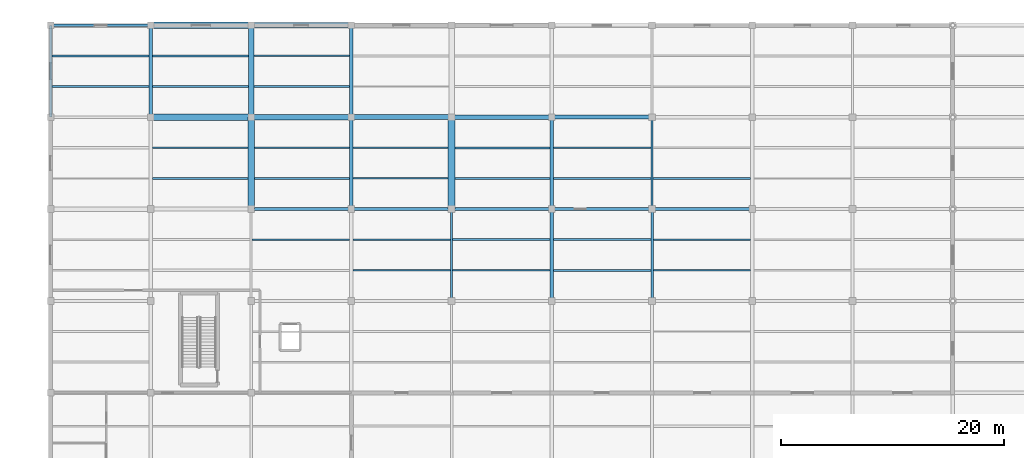
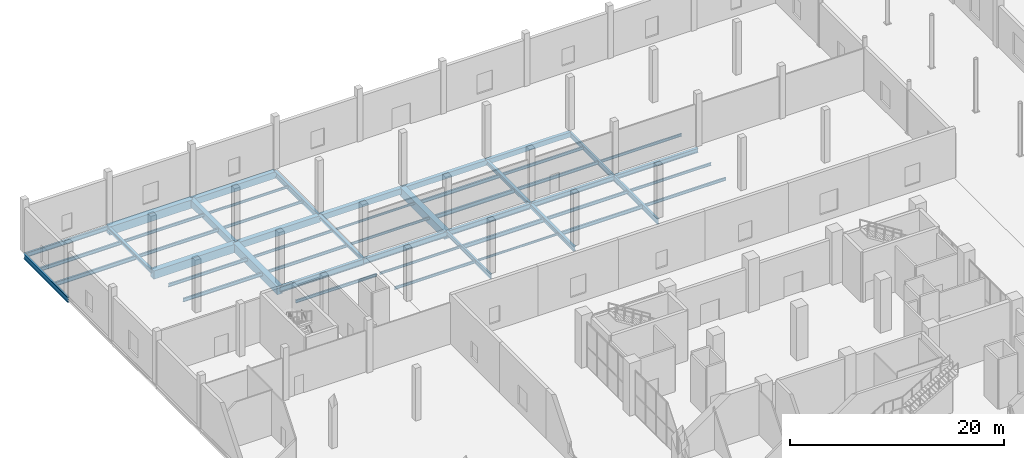
# One storey, part 60 of 144: 51 beams.
"""IFC4 building model written with IfcOpenShell, lengths in metres."""

from ifc_helpers import new_model, si_unit, direction, frame, origin, origin_2d, place, context, subcontext, project, spatial, rectangle, i_section, extrude, material, material_profile, profile_set, type_object, element, save


model = new_model("IFC4")

# Units and contexts
model_context = context("Model", 3, precision=1e-05, world=origin(), true_north=direction((0.0, 1.0)))
body_context = subcontext(model_context, "Body", "Model", "MODEL_VIEW")
ifc_project = project(units=[si_unit("LENGTHUNIT", "METRE"), si_unit("AREAUNIT", "SQUARE_METRE"), si_unit("VOLUMEUNIT", "CUBIC_METRE"), si_unit("PLANEANGLEUNIT", "RADIAN"), si_unit("MASSUNIT", "GRAM", prefix="KILO")], contexts=[model_context])

# Site, building, storey
site_placement = place(None, origin())
site = spatial("IfcSite", under=ifc_project, at=site_placement, CompositionType="ELEMENT")
building_placement = place(site_placement, origin())
building = spatial("IfcBuilding", under=site, at=building_placement, Name="Sundgate Opera House", CompositionType="ELEMENT")
storey_placement = place(building_placement, origin())
storey = spatial("IfcBuildingStorey", under=building, at=storey_placement, Name="L00", CompositionType="ELEMENT", Elevation=0.0)

# Beams
ifc_material_1 = material(Name="Steel S355J2", Category="steel")
ifc_material_profile_1 = material_profile(ifc_material_1, i_section(OverallWidth=0.300048828125, OverallDepth=0.590087890625, WebThickness=0.012939453125, FlangeThickness=0.02490234375, at=origin_2d()), Name="HEA 600")
ifc_profile_set_1 = profile_set([ifc_material_profile_1], Name="Steel S355J2")
beam_type_1 = type_object("IfcBeamType", Name="BM-GR-HEA600", PredefinedType="BEAM", material=ifc_profile_set_1)
beam_1_placement = place(storey_placement, frame((27.0, 111.75, -0.614990234375), z_axis=(0.0, 1.0, 0.0), x_axis=(-1.0, 0.0, 0.0)))
element("IfcBeam", 1, at=beam_1_placement, inside=storey, type_object=beam_type_1, Name="L00 Primary N-S Girder B0111", PredefinedType="BEAM", context=body_context, shape_type="SweptSolid", body=[
    extrude(i_section(OverallWidth=0.300048828125, OverallDepth=0.590087890625, WebThickness=0.012939453125, FlangeThickness=0.02490234375, at=origin_2d()), origin(), (0.0, 0.0, 1.0), 8.25),
])
ifc_material_2 = material(Name="Steel S355J2", Category="steel")
ifc_material_profile_2 = material_profile(ifc_material_2, i_section(OverallWidth=0.300048828125, OverallDepth=0.360107421875, WebThickness=0.012451171875, FlangeThickness=0.0224609375, at=origin_2d()), Name="HEB 360")
ifc_profile_set_2 = profile_set([ifc_material_profile_2], Name="Steel S355J2")
beam_type_2 = type_object("IfcBeamType", Name="BM-GR-HEB360", PredefinedType="BEAM", material=ifc_profile_set_2)
beam_2_placement = place(storey_placement, frame((27.0, 103.5, -0.5), z_axis=(0.0, 1.0, 0.0), x_axis=(-1.0, 0.0, 0.0)))
element("IfcBeam", 2, at=beam_2_placement, inside=storey, type_object=beam_type_2, Name="L00 Primary N-S Girder B0110", PredefinedType="BEAM", context=body_context, shape_type="SweptSolid", body=[
    extrude(i_section(OverallWidth=0.300048828125, OverallDepth=0.360107421875, WebThickness=0.012451171875, FlangeThickness=0.0224609375, at=origin_2d()), origin(), (0.0, 0.0, 1.0), 8.25),
])
ifc_material_3 = material(Name="Steel S355J2", Category="steel")
ifc_material_profile_3 = material_profile(ifc_material_3, i_section(OverallWidth=0.300048828125, OverallDepth=0.39990234375, WebThickness=0.013427734375, FlangeThickness=0.02392578125, at=origin_2d()), Name="HEB 400")
ifc_profile_set_3 = profile_set([ifc_material_profile_3], Name="Steel S355J2")
beam_type_3 = type_object("IfcBeamType", Name="BM-GR-HEB400", PredefinedType="BEAM", material=ifc_profile_set_3)
beam_3_placement = place(storey_placement, frame((9.0, 111.75, -0.52001953125), z_axis=(0.0, 1.0, 0.0), x_axis=(-1.0, 0.0, 0.0)))
element("IfcBeam", 3, at=beam_3_placement, inside=storey, type_object=beam_type_3, Name="L00 Primary N-S Girder B0087", PredefinedType="BEAM", context=body_context, shape_type="SweptSolid", body=[
    extrude(i_section(OverallWidth=0.300048828125, OverallDepth=0.39990234375, WebThickness=0.013427734375, FlangeThickness=0.02392578125, at=origin_2d()), origin(), (0.0, 0.0, 1.0), 8.25),
])
ifc_material_4 = material(Name="Steel S355J2", Category="steel")
ifc_material_profile_4 = material_profile(ifc_material_4, i_section(OverallWidth=0.300048828125, OverallDepth=0.449951171875, WebThickness=0.013916015625, FlangeThickness=0.02587890625, at=origin_2d()), Name="HEB 450")
ifc_profile_set_4 = profile_set([ifc_material_profile_4], Name="Steel S355J2")
beam_type_4 = type_object("IfcBeamType", Name="BM-GR-HEB450", PredefinedType="BEAM", material=ifc_profile_set_4)
beam_4_placement = place(storey_placement, frame((45.0, 103.5, -0.544921875), z_axis=(0.0, 1.0, 0.0), x_axis=(-1.0, 0.0, 0.0)))
element("IfcBeam", 4, at=beam_4_placement, inside=storey, type_object=beam_type_4, Name="L00 Primary N-S Girder B0130", PredefinedType="BEAM", context=body_context, shape_type="SweptSolid", body=[
    extrude(i_section(OverallWidth=0.300048828125, OverallDepth=0.449951171875, WebThickness=0.013916015625, FlangeThickness=0.02587890625, at=origin_2d()), origin(), (0.0, 0.0, 1.0), 8.25),
])
ifc_material_5 = material(Name="Steel S355J2", Category="steel")
ifc_material_profile_5 = material_profile(ifc_material_5, i_section(OverallWidth=0.300048828125, OverallDepth=0.5, WebThickness=0.014404296875, FlangeThickness=0.028076171875, at=origin_2d()), Name="HEB 500")
ifc_profile_set_5 = profile_set([ifc_material_profile_5], Name="Steel S355J2")
beam_type_5 = type_object("IfcBeamType", Name="BM-GR-HEB500", PredefinedType="BEAM", material=ifc_profile_set_5)
beam_5_placement = place(storey_placement, frame((45.0, 95.25, -0.570068359375), z_axis=(0.0, 1.0, 0.0), x_axis=(-1.0, 0.0, 0.0)))
element("IfcBeam", 5, at=beam_5_placement, inside=storey, type_object=beam_type_5, Name="L00 Primary N-S Girder B0129", PredefinedType="BEAM", context=body_context, shape_type="SweptSolid", body=[
    extrude(i_section(OverallWidth=0.300048828125, OverallDepth=0.5, WebThickness=0.014404296875, FlangeThickness=0.028076171875, at=origin_2d()), origin(), (0.0, 0.0, 1.0), 8.25),
])
beam_6_placement = place(storey_placement, frame((54.0, 103.5, -0.570068359375), z_axis=(1.0, 0.0, 0.0), x_axis=(0.0, 1.0, 0.0)))
element("IfcBeam", 6, at=beam_6_placement, inside=storey, type_object=beam_type_5, Name="L00 Primary E-W Girder B0546", PredefinedType="BEAM", context=body_context, shape_type="SweptSolid", body=[
    extrude(i_section(OverallWidth=0.300048828125, OverallDepth=0.5, WebThickness=0.014404296875, FlangeThickness=0.028076171875, at=origin_2d()), origin(), (0.0, 0.0, 1.0), 9.0),
])
ifc_material_6 = material(Name="Steel S355J2", Category="steel")
ifc_material_profile_6 = material_profile(ifc_material_6, i_section(OverallWidth=0.300048828125, OverallDepth=0.550048828125, WebThickness=0.014892578125, FlangeThickness=0.029052734375, at=origin_2d()), Name="HEB 550")
ifc_profile_set_6 = profile_set([ifc_material_profile_6], Name="Steel S355J2")
beam_type_6 = type_object("IfcBeamType", Name="BM-GR-HEB550", PredefinedType="BEAM", material=ifc_profile_set_6)
beam_7_placement = place(storey_placement, frame((45.0, 103.5, -0.594970703125), z_axis=(1.0, 0.0, 0.0), x_axis=(0.0, 1.0, 0.0)))
element("IfcBeam", 7, at=beam_7_placement, inside=storey, type_object=beam_type_6, Name="L00 Primary E-W Girder B0545", PredefinedType="BEAM", context=body_context, shape_type="SweptSolid", body=[
    extrude(i_section(OverallWidth=0.300048828125, OverallDepth=0.550048828125, WebThickness=0.014892578125, FlangeThickness=0.029052734375, at=origin_2d()), origin(), (0.0, 0.0, 1.0), 9.0),
])
ifc_material_7 = material(Name="Steel S355J2", Category="steel")
ifc_material_profile_7 = material_profile(ifc_material_7, i_section(OverallWidth=0.300048828125, OverallDepth=0.60009765625, WebThickness=0.015380859375, FlangeThickness=0.030029296875, at=origin_2d()), Name="HEB 600")
ifc_profile_set_7 = profile_set([ifc_material_profile_7], Name="Steel S355J2")
beam_type_7 = type_object("IfcBeamType", Name="BM-GR-HEB600", PredefinedType="BEAM", material=ifc_profile_set_7)
beam_8_placement = place(storey_placement, frame((36.0, 103.5, -0.6201171875), z_axis=(1.0, 0.0, 0.0), x_axis=(0.0, 1.0, 0.0)))
element("IfcBeam", 8, at=beam_8_placement, inside=storey, type_object=beam_type_7, Name="L00 Primary E-W Girder B0544", PredefinedType="BEAM", context=body_context, shape_type="SweptSolid", body=[
    extrude(i_section(OverallWidth=0.300048828125, OverallDepth=0.60009765625, WebThickness=0.015380859375, FlangeThickness=0.030029296875, at=origin_2d()), origin(), (0.0, 0.0, 1.0), 9.0),
])
ifc_material_8 = material(Name="Steel S355J2", Category="steel")
ifc_material_profile_8 = material_profile(ifc_material_8, i_section(OverallWidth=0.300048828125, OverallDepth=0.64990234375, WebThickness=0.01611328125, FlangeThickness=0.031005859375, at=origin_2d()), Name="HEB 650")
ifc_profile_set_8 = profile_set([ifc_material_profile_8], Name="Steel S355J2")
beam_type_8 = type_object("IfcBeamType", Name="BM-GR-HEB650", PredefinedType="BEAM", material=ifc_profile_set_8)
beam_9_placement = place(storey_placement, frame((27.0, 103.5, -0.64501953125), z_axis=(1.0, 0.0, 0.0), x_axis=(0.0, 1.0, 0.0)))
element("IfcBeam", 9, at=beam_9_placement, inside=storey, type_object=beam_type_8, Name="L00 Primary E-W Girder B0543", PredefinedType="BEAM", context=body_context, shape_type="SweptSolid", body=[
    extrude(i_section(OverallWidth=0.300048828125, OverallDepth=0.64990234375, WebThickness=0.01611328125, FlangeThickness=0.031005859375, at=origin_2d()), origin(), (0.0, 0.0, 1.0), 9.0),
])
ifc_material_9 = material(Name="Steel S355J2", Category="steel")
ifc_material_profile_9 = material_profile(ifc_material_9, i_section(OverallWidth=0.300048828125, OverallDepth=0.699951171875, WebThickness=0.01708984375, FlangeThickness=0.031982421875, at=origin_2d()), Name="HEB 700")
ifc_profile_set_9 = profile_set([ifc_material_profile_9], Name="Steel S355J2")
beam_type_9 = type_object("IfcBeamType", Name="BM-GR-HEB700", PredefinedType="BEAM", material=ifc_profile_set_9)
beam_10_placement = place(storey_placement, frame((18.0, 103.5, -0.669921875), z_axis=(1.0, 0.0, 0.0), x_axis=(0.0, 1.0, 0.0)))
element("IfcBeam", 10, at=beam_10_placement, inside=storey, type_object=beam_type_9, Name="L00 Primary E-W Girder B0542", PredefinedType="BEAM", context=body_context, shape_type="SweptSolid", body=[
    extrude(i_section(OverallWidth=0.300048828125, OverallDepth=0.699951171875, WebThickness=0.01708984375, FlangeThickness=0.031982421875, at=origin_2d()), origin(), (0.0, 0.0, 1.0), 9.0),
])
ifc_material_10 = material(Name="Steel S355J2", Category="steel")
ifc_material_profile_10 = material_profile(ifc_material_10, i_section(OverallWidth=0.199951171875, OverallDepth=0.5, WebThickness=0.01025390625, FlangeThickness=0.01611328125, at=origin_2d()), Name="IPE 500")
ifc_profile_set_10 = profile_set([ifc_material_profile_10], Name="Steel S355J2")
beam_type_10 = type_object("IfcBeamType", Name="BM-GR-IPE500", PredefinedType="BEAM", material=ifc_profile_set_10)
beam_11_placement = place(storey_placement, frame((36.0, 95.25, -0.570068359375), z_axis=(0.0, 1.0, 0.0), x_axis=(-1.0, 0.0, 0.0)))
element("IfcBeam", 11, at=beam_11_placement, inside=storey, type_object=beam_type_10, Name="L00 Primary N-S Girder B0119", PredefinedType="BEAM", context=body_context, shape_type="SweptSolid", body=[
    extrude(i_section(OverallWidth=0.199951171875, OverallDepth=0.5, WebThickness=0.01025390625, FlangeThickness=0.01611328125, at=origin_2d()), origin(), (0.0, 0.0, 1.0), 8.25),
])
beam_12_placement = place(storey_placement, frame((0.0, 120.0, -0.570068359375), z_axis=(1.0, 0.0, 0.0), x_axis=(0.0, 1.0, 0.0)))
element("IfcBeam", 12, at=beam_12_placement, inside=storey, type_object=beam_type_10, Name="L00 Primary E-W Girder B0580", PredefinedType="BEAM", context=body_context, shape_type="SweptSolid", body=[
    extrude(i_section(OverallWidth=0.199951171875, OverallDepth=0.5, WebThickness=0.01025390625, FlangeThickness=0.01611328125, at=origin_2d()), origin(), (0.0, 0.0, 1.0), 9.0),
])
ifc_material_11 = material(Name="Steel S355J2", Category="steel")
ifc_material_profile_11 = material_profile(ifc_material_11, i_section(OverallWidth=0.2099609375, OverallDepth=0.550048828125, WebThickness=0.010986328125, FlangeThickness=0.01708984375, at=origin_2d()), Name="IPE 550")
ifc_profile_set_11 = profile_set([ifc_material_profile_11], Name="Steel S355J2")
beam_type_11 = type_object("IfcBeamType", Name="BM-GR-IPE550", PredefinedType="BEAM", material=ifc_profile_set_11)
beam_13_placement = place(storey_placement, frame((54.0, 103.5, -0.594970703125), z_axis=(0.0, 1.0, 0.0), x_axis=(-1.0, 0.0, 0.0)))
element("IfcBeam", 13, at=beam_13_placement, inside=storey, type_object=beam_type_11, Name="L00 Primary N-S Girder B0140", PredefinedType="BEAM", context=body_context, shape_type="SweptSolid", body=[
    extrude(i_section(OverallWidth=0.2099609375, OverallDepth=0.550048828125, WebThickness=0.010986328125, FlangeThickness=0.01708984375, at=origin_2d()), origin(), (0.0, 0.0, 1.0), 8.25),
])
ifc_material_12 = material(Name="Steel S355J2", Category="steel")
ifc_material_profile_12 = material_profile(ifc_material_12, i_section(OverallWidth=0.219970703125, OverallDepth=0.60009765625, WebThickness=0.011962890625, FlangeThickness=0.01904296875, at=origin_2d()), Name="IPE 600")
ifc_profile_set_12 = profile_set([ifc_material_profile_12], Name="Steel S355J2")
beam_type_12 = type_object("IfcBeamType", Name="BM-GR-IPE600", PredefinedType="BEAM", material=ifc_profile_set_12)
for number, where, z_axis, x_axis, name in (
    (14, (0.0, 111.75, -0.6201171875), (0.0, 1.0, 0.0), (-1.0, 0.0, 0.0), "L00 Primary N-S Girder B0073"),
    (15, (54.0, 95.25, -0.6201171875), (0.0, 1.0, 0.0), (-1.0, 0.0, 0.0), "L00 Primary N-S Girder B0139"),
):
    element("IfcBeam", number, at=place(storey_placement, frame(where, z_axis=z_axis, x_axis=x_axis)), inside=storey, type_object=beam_type_12, Name=name, PredefinedType="BEAM", context=body_context, shape_type="SweptSolid", body=[
        extrude(i_section(OverallWidth=0.219970703125, OverallDepth=0.60009765625, WebThickness=0.011962890625, FlangeThickness=0.01904296875, at=origin_2d()), origin(), (0.0, 0.0, 1.0), 8.25),
    ])
ifc_material_13 = material(Name="Steel S355J2", Category="steel")
ifc_material_profile_13 = material_profile(ifc_material_13, i_section(OverallWidth=0.1201171875, OverallDepth=0.239990234375, WebThickness=0.006103515625, FlangeThickness=0.009765625, at=origin_2d()), Name="IPE 240")
ifc_profile_set_13 = profile_set([ifc_material_profile_13], Name="Steel S355J2")
beam_type_13 = type_object("IfcBeamType", Name="BM-JS-IPE240", PredefinedType="JOIST", material=ifc_profile_set_13)
beam_14_placement = place(storey_placement, frame((36.10009765625, 98.0, -0.43994140625), z_axis=(1.0, 0.0, 0.0), x_axis=(0.0, 1.0, 0.0)))
element("IfcBeam", 16, at=beam_14_placement, inside=storey, type_object=beam_type_13, Name="L00 Secondary Floor Joist B0958", PredefinedType="JOIST", context=body_context, shape_type="SweptSolid", body=[
    extrude(i_section(OverallWidth=0.1201171875, OverallDepth=0.239990234375, WebThickness=0.006103515625, FlangeThickness=0.009765625, at=origin_2d()), origin(), (0.0, 0.0, 1.0), 8.75),
])
beam_15_placement = place(storey_placement, frame((27.14990234375, 109.0, -0.43994140625), z_axis=(1.0, 0.0, 0.0), x_axis=(0.0, 1.0, 0.0)))
element("IfcBeam", 17, at=beam_15_placement, inside=storey, type_object=beam_type_13, Name="L00 Secondary Floor Joist B0993", PredefinedType="JOIST", context=body_context, shape_type="SweptSolid", body=[
    extrude(i_section(OverallWidth=0.1201171875, OverallDepth=0.239990234375, WebThickness=0.006103515625, FlangeThickness=0.009765625, at=origin_2d()), origin(), (0.0, 0.0, 1.0), 8.550048828125),
])
ifc_material_14 = material(Name="Steel S355J2", Category="steel")
ifc_material_profile_14 = material_profile(ifc_material_14, i_section(OverallWidth=0.135009765625, OverallDepth=0.27001953125, WebThickness=0.006591796875, FlangeThickness=0.01025390625, at=origin_2d()), Name="IPE 270")
ifc_profile_set_14 = profile_set([ifc_material_profile_14], Name="Steel S355J2")
beam_type_14 = type_object("IfcBeamType", Name="BM-JS-IPE270", PredefinedType="JOIST", material=ifc_profile_set_14)
beam_16_placement = place(storey_placement, frame((27.14990234375, 100.75, -0.455078125), z_axis=(1.0, 0.0, 0.0), x_axis=(0.0, 1.0, 0.0)))
element("IfcBeam", 18, at=beam_16_placement, inside=storey, type_object=beam_type_14, Name="L00 Secondary Floor Joist B0957", PredefinedType="JOIST", context=body_context, shape_type="SweptSolid", body=[
    extrude(i_section(OverallWidth=0.135009765625, OverallDepth=0.27001953125, WebThickness=0.006591796875, FlangeThickness=0.01025390625, at=origin_2d()), origin(), (0.0, 0.0, 1.0), 8.75),
])
beam_17_placement = place(storey_placement, frame((27.14990234375, 106.25, -0.455078125), z_axis=(1.0, 0.0, 0.0), x_axis=(0.0, 1.0, 0.0)))
element("IfcBeam", 19, at=beam_17_placement, inside=storey, type_object=beam_type_14, Name="L00 Secondary Floor Joist B0992", PredefinedType="JOIST", context=body_context, shape_type="SweptSolid", body=[
    extrude(i_section(OverallWidth=0.135009765625, OverallDepth=0.27001953125, WebThickness=0.006591796875, FlangeThickness=0.01025390625, at=origin_2d()), origin(), (0.0, 0.0, 1.0), 8.550048828125),
])
beam_18_placement = place(storey_placement, frame((18.25, 117.25, -0.455078125), z_axis=(1.0, 0.0, 0.0), x_axis=(0.0, 1.0, 0.0)))
element("IfcBeam", 20, at=beam_18_placement, inside=storey, type_object=beam_type_14, Name="L00 Secondary Floor Joist B1027", PredefinedType="JOIST", context=body_context, shape_type="SweptSolid", body=[
    extrude(i_section(OverallWidth=0.135009765625, OverallDepth=0.27001953125, WebThickness=0.006591796875, FlangeThickness=0.01025390625, at=origin_2d()), origin(), (0.0, 0.0, 1.0), 8.60009765625),
])
ifc_material_15 = material(Name="Steel S355J2", Category="steel")
ifc_material_profile_15 = material_profile(ifc_material_15, i_section(OverallWidth=0.14990234375, OverallDepth=0.300048828125, WebThickness=0.007080078125, FlangeThickness=0.0107421875, at=origin_2d()), Name="IPE 300")
ifc_profile_set_15 = profile_set([ifc_material_profile_15], Name="Steel S355J2")
beam_type_15 = type_object("IfcBeamType", Name="BM-JS-IPE300", PredefinedType="JOIST", material=ifc_profile_set_15)
beam_19_placement = place(storey_placement, frame((27.14990234375, 98.0, -0.469970703125), z_axis=(1.0, 0.0, 0.0), x_axis=(0.0, 1.0, 0.0)))
element("IfcBeam", 21, at=beam_19_placement, inside=storey, type_object=beam_type_15, Name="L00 Secondary Floor Joist B0956", PredefinedType="JOIST", context=body_context, shape_type="SweptSolid", body=[
    extrude(i_section(OverallWidth=0.14990234375, OverallDepth=0.300048828125, WebThickness=0.007080078125, FlangeThickness=0.0107421875, at=origin_2d()), origin(), (0.0, 0.0, 1.0), 8.75),
])
beam_20_placement = place(storey_placement, frame((54.110107421875, 100.75, -0.469970703125), z_axis=(1.0, 0.0, 0.0), x_axis=(0.0, 1.0, 0.0)))
element("IfcBeam", 22, at=beam_20_placement, inside=storey, type_object=beam_type_15, Name="L00 Secondary Floor Joist B0963", PredefinedType="JOIST", context=body_context, shape_type="SweptSolid", body=[
    extrude(i_section(OverallWidth=0.14990234375, OverallDepth=0.300048828125, WebThickness=0.007080078125, FlangeThickness=0.0107421875, at=origin_2d()), origin(), (0.0, 0.0, 1.0), 8.739990234375),
])
beam_21_placement = place(storey_placement, frame((18.300048828125, 109.0, -0.469970703125), z_axis=(1.0, 0.0, 0.0), x_axis=(0.0, 1.0, 0.0)))
element("IfcBeam", 23, at=beam_21_placement, inside=storey, type_object=beam_type_15, Name="L00 Secondary Floor Joist B0991", PredefinedType="JOIST", context=body_context, shape_type="SweptSolid", body=[
    extrude(i_section(OverallWidth=0.14990234375, OverallDepth=0.300048828125, WebThickness=0.007080078125, FlangeThickness=0.0107421875, at=origin_2d()), origin(), (0.0, 0.0, 1.0), 8.550048828125),
])
beam_22_placement = place(storey_placement, frame((54.10498046875, 106.25, -0.469970703125), z_axis=(1.0, 0.0, 0.0), x_axis=(0.0, 1.0, 0.0)))
element("IfcBeam", 24, at=beam_22_placement, inside=storey, type_object=beam_type_15, Name="L00 Secondary Floor Joist B0998", PredefinedType="JOIST", context=body_context, shape_type="SweptSolid", body=[
    extrude(i_section(OverallWidth=0.14990234375, OverallDepth=0.300048828125, WebThickness=0.007080078125, FlangeThickness=0.0107421875, at=origin_2d()), origin(), (0.0, 0.0, 1.0), 8.7451171875),
])
beam_23_placement = place(storey_placement, frame((18.25, 114.5, -0.469970703125), z_axis=(1.0, 0.0, 0.0), x_axis=(0.0, 1.0, 0.0)))
element("IfcBeam", 25, at=beam_23_placement, inside=storey, type_object=beam_type_15, Name="L00 Secondary Floor Joist B1026", PredefinedType="JOIST", context=body_context, shape_type="SweptSolid", body=[
    extrude(i_section(OverallWidth=0.14990234375, OverallDepth=0.300048828125, WebThickness=0.007080078125, FlangeThickness=0.0107421875, at=origin_2d()), origin(), (0.0, 0.0, 1.0), 8.60009765625),
])
ifc_material_16 = material(Name="Steel S355J2", Category="steel")
ifc_material_profile_16 = material_profile(ifc_material_16, i_section(OverallWidth=0.159912109375, OverallDepth=0.330078125, WebThickness=0.007568359375, FlangeThickness=0.011474609375, at=origin_2d()), Name="IPE 330")
ifc_profile_set_16 = profile_set([ifc_material_profile_16], Name="Steel S355J2")
beam_type_16 = type_object("IfcBeamType", Name="BM-JS-IPE330", PredefinedType="JOIST", material=ifc_profile_set_16)
beam_24_placement = place(storey_placement, frame((18.10009765625, 100.75, -0.485107421875), z_axis=(1.0, 0.0, 0.0), x_axis=(0.0, 1.0, 0.0)))
element("IfcBeam", 26, at=beam_24_placement, inside=storey, type_object=beam_type_16, Name="L00 Secondary Floor Joist B0955", PredefinedType="JOIST", context=body_context, shape_type="SweptSolid", body=[
    extrude(i_section(OverallWidth=0.159912109375, OverallDepth=0.330078125, WebThickness=0.007568359375, FlangeThickness=0.011474609375, at=origin_2d()), origin(), (0.0, 0.0, 1.0), 8.75),
])
beam_25_placement = place(storey_placement, frame((54.110107421875, 98.0, -0.485107421875), z_axis=(1.0, 0.0, 0.0), x_axis=(0.0, 1.0, 0.0)))
element("IfcBeam", 27, at=beam_25_placement, inside=storey, type_object=beam_type_16, Name="L00 Secondary Floor Joist B0962", PredefinedType="JOIST", context=body_context, shape_type="SweptSolid", body=[
    extrude(i_section(OverallWidth=0.159912109375, OverallDepth=0.330078125, WebThickness=0.007568359375, FlangeThickness=0.011474609375, at=origin_2d()), origin(), (0.0, 0.0, 1.0), 8.739990234375),
])
beam_26_placement = place(storey_placement, frame((18.300048828125, 106.25, -0.485107421875), z_axis=(1.0, 0.0, 0.0), x_axis=(0.0, 1.0, 0.0)))
element("IfcBeam", 28, at=beam_26_placement, inside=storey, type_object=beam_type_16, Name="L00 Secondary Floor Joist B0990", PredefinedType="JOIST", context=body_context, shape_type="SweptSolid", body=[
    extrude(i_section(OverallWidth=0.159912109375, OverallDepth=0.330078125, WebThickness=0.007568359375, FlangeThickness=0.011474609375, at=origin_2d()), origin(), (0.0, 0.0, 1.0), 8.550048828125),
])
beam_27_placement = place(storey_placement, frame((45.14990234375, 109.0, -0.485107421875), z_axis=(1.0, 0.0, 0.0), x_axis=(0.0, 1.0, 0.0)))
element("IfcBeam", 29, at=beam_27_placement, inside=storey, type_object=beam_type_16, Name="L00 Secondary Floor Joist B0997", PredefinedType="JOIST", context=body_context, shape_type="SweptSolid", body=[
    extrude(i_section(OverallWidth=0.159912109375, OverallDepth=0.330078125, WebThickness=0.007568359375, FlangeThickness=0.011474609375, at=origin_2d()), origin(), (0.0, 0.0, 1.0), 8.7451171875),
])
beam_28_placement = place(storey_placement, frame((9.14990234375, 117.25, -0.485107421875), z_axis=(1.0, 0.0, 0.0), x_axis=(0.0, 1.0, 0.0)))
element("IfcBeam", 30, at=beam_28_placement, inside=storey, type_object=beam_type_16, Name="L00 Secondary Floor Joist B1025", PredefinedType="JOIST", context=body_context, shape_type="SweptSolid", body=[
    extrude(i_section(OverallWidth=0.159912109375, OverallDepth=0.330078125, WebThickness=0.007568359375, FlangeThickness=0.011474609375, at=origin_2d()), origin(), (0.0, 0.0, 1.0), 8.60009765625),
])
ifc_material_17 = material(Name="Steel S355J2", Category="steel")
ifc_material_profile_17 = material_profile(ifc_material_17, i_section(OverallWidth=0.169921875, OverallDepth=0.360107421875, WebThickness=0.008056640625, FlangeThickness=0.0126953125, at=origin_2d()), Name="IPE 360")
ifc_profile_set_17 = profile_set([ifc_material_profile_17], Name="Steel S355J2")
beam_type_17 = type_object("IfcBeamType", Name="BM-JS-IPE360", PredefinedType="JOIST", material=ifc_profile_set_17)
beam_29_placement = place(storey_placement, frame((45.14990234375, 100.75, -0.5), z_axis=(1.0, 0.0, 0.0), x_axis=(0.0, 1.0, 0.0)))
element("IfcBeam", 31, at=beam_29_placement, inside=storey, type_object=beam_type_17, Name="L00 Secondary Floor Joist B0961", PredefinedType="JOIST", context=body_context, shape_type="SweptSolid", body=[
    extrude(i_section(OverallWidth=0.169921875, OverallDepth=0.360107421875, WebThickness=0.008056640625, FlangeThickness=0.0126953125, at=origin_2d()), origin(), (0.0, 0.0, 1.0), 8.739990234375),
])
beam_30_placement = place(storey_placement, frame((9.14990234375, 109.0, -0.5), z_axis=(1.0, 0.0, 0.0), x_axis=(0.0, 1.0, 0.0)))
element("IfcBeam", 32, at=beam_30_placement, inside=storey, type_object=beam_type_17, Name="L00 Secondary Floor Joist B0989", PredefinedType="JOIST", context=body_context, shape_type="SweptSolid", body=[
    extrude(i_section(OverallWidth=0.169921875, OverallDepth=0.360107421875, WebThickness=0.008056640625, FlangeThickness=0.0126953125, at=origin_2d()), origin(), (0.0, 0.0, 1.0), 8.550048828125),
])
beam_31_placement = place(storey_placement, frame((45.14990234375, 106.25, -0.5), z_axis=(1.0, 0.0, 0.0), x_axis=(0.0, 1.0, 0.0)))
element("IfcBeam", 33, at=beam_31_placement, inside=storey, type_object=beam_type_17, Name="L00 Secondary Floor Joist B0996", PredefinedType="JOIST", context=body_context, shape_type="SweptSolid", body=[
    extrude(i_section(OverallWidth=0.169921875, OverallDepth=0.360107421875, WebThickness=0.008056640625, FlangeThickness=0.0126953125, at=origin_2d()), origin(), (0.0, 0.0, 1.0), 8.7451171875),
])
beam_32_placement = place(storey_placement, frame((9.14990234375, 114.5, -0.5), z_axis=(1.0, 0.0, 0.0), x_axis=(0.0, 1.0, 0.0)))
element("IfcBeam", 34, at=beam_32_placement, inside=storey, type_object=beam_type_17, Name="L00 Secondary Floor Joist B1024", PredefinedType="JOIST", context=body_context, shape_type="SweptSolid", body=[
    extrude(i_section(OverallWidth=0.169921875, OverallDepth=0.360107421875, WebThickness=0.008056640625, FlangeThickness=0.0126953125, at=origin_2d()), origin(), (0.0, 0.0, 1.0), 8.60009765625),
])
ifc_material_18 = material(Name="Steel S355J2", Category="steel")
ifc_material_profile_18 = material_profile(ifc_material_18, i_section(OverallWidth=0.179931640625, OverallDepth=0.39990234375, WebThickness=0.008544921875, FlangeThickness=0.013427734375, at=origin_2d()), Name="IPE 400")
ifc_profile_set_18 = profile_set([ifc_material_profile_18], Name="Steel S355J2")
beam_type_18 = type_object("IfcBeamType", Name="BM-JS-IPE400", PredefinedType="JOIST", material=ifc_profile_set_18)
beam_33_placement = place(storey_placement, frame((45.14990234375, 98.0, -0.52001953125), z_axis=(1.0, 0.0, 0.0), x_axis=(0.0, 1.0, 0.0)))
element("IfcBeam", 35, at=beam_33_placement, inside=storey, type_object=beam_type_18, Name="L00 Secondary Floor Joist B0960", PredefinedType="JOIST", context=body_context, shape_type="SweptSolid", body=[
    extrude(i_section(OverallWidth=0.179931640625, OverallDepth=0.39990234375, WebThickness=0.008544921875, FlangeThickness=0.013427734375, at=origin_2d()), origin(), (0.0, 0.0, 1.0), 8.739990234375),
])
for number, where, z_axis, x_axis, name in (
    (36, (9.14990234375, 106.25, -0.52001953125), (1.0, 0.0, 0.0), (0.0, 1.0, 0.0), "L00 Secondary Floor Joist B0988"),
    (37, (36.300048828125, 109.0, -0.52001953125), (1.0, 0.0, 0.0), (0.0, 1.0, 0.0), "L00 Secondary Floor Joist B0995"),
):
    element("IfcBeam", number, at=place(storey_placement, frame(where, z_axis=z_axis, x_axis=x_axis)), inside=storey, type_object=beam_type_18, Name=name, PredefinedType="JOIST", context=body_context, shape_type="SweptSolid", body=[
        extrude(i_section(OverallWidth=0.179931640625, OverallDepth=0.39990234375, WebThickness=0.008544921875, FlangeThickness=0.013427734375, at=origin_2d()), origin(), (0.0, 0.0, 1.0), 8.550048828125),
    ])
beam_34_placement = place(storey_placement, frame((0.110107421875, 117.25, -0.52001953125), z_axis=(1.0, 0.0, 0.0), x_axis=(0.0, 1.0, 0.0)))
element("IfcBeam", 38, at=beam_34_placement, inside=storey, type_object=beam_type_18, Name="L00 Secondary Floor Joist B1023", PredefinedType="JOIST", context=body_context, shape_type="SweptSolid", body=[
    extrude(i_section(OverallWidth=0.179931640625, OverallDepth=0.39990234375, WebThickness=0.008544921875, FlangeThickness=0.013427734375, at=origin_2d()), origin(), (0.0, 0.0, 1.0), 8.739990234375),
])
ifc_material_19 = material(Name="Steel S355J2", Category="steel")
ifc_material_profile_19 = material_profile(ifc_material_19, i_section(OverallWidth=0.18994140625, OverallDepth=0.449951171875, WebThickness=0.009521484375, FlangeThickness=0.0146484375, at=origin_2d()), Name="IPE 450")
ifc_profile_set_19 = profile_set([ifc_material_profile_19], Name="Steel S355J2")
beam_type_19 = type_object("IfcBeamType", Name="BM-JS-IPE450", PredefinedType="JOIST", material=ifc_profile_set_19)
beam_35_placement = place(storey_placement, frame((36.10009765625, 100.75, -0.544921875), z_axis=(1.0, 0.0, 0.0), x_axis=(0.0, 1.0, 0.0)))
element("IfcBeam", 39, at=beam_35_placement, inside=storey, type_object=beam_type_19, Name="L00 Secondary Floor Joist B0959", PredefinedType="JOIST", context=body_context, shape_type="SweptSolid", body=[
    extrude(i_section(OverallWidth=0.18994140625, OverallDepth=0.449951171875, WebThickness=0.009521484375, FlangeThickness=0.0146484375, at=origin_2d()), origin(), (0.0, 0.0, 1.0), 8.75),
])
beam_36_placement = place(storey_placement, frame((36.300048828125, 106.25, -0.544921875), z_axis=(1.0, 0.0, 0.0), x_axis=(0.0, 1.0, 0.0)))
element("IfcBeam", 40, at=beam_36_placement, inside=storey, type_object=beam_type_19, Name="L00 Secondary Floor Joist B0994", PredefinedType="JOIST", context=body_context, shape_type="SweptSolid", body=[
    extrude(i_section(OverallWidth=0.18994140625, OverallDepth=0.449951171875, WebThickness=0.009521484375, FlangeThickness=0.0146484375, at=origin_2d()), origin(), (0.0, 0.0, 1.0), 8.550048828125),
])
beam_37_placement = place(storey_placement, frame((0.110107421875, 114.5, -0.544921875), z_axis=(1.0, 0.0, 0.0), x_axis=(0.0, 1.0, 0.0)))
element("IfcBeam", 41, at=beam_37_placement, inside=storey, type_object=beam_type_19, Name="L00 Secondary Floor Joist B1022", PredefinedType="JOIST", context=body_context, shape_type="SweptSolid", body=[
    extrude(i_section(OverallWidth=0.18994140625, OverallDepth=0.449951171875, WebThickness=0.009521484375, FlangeThickness=0.0146484375, at=origin_2d()), origin(), (0.0, 0.0, 1.0), 8.739990234375),
])
ifc_material_20 = material(Name="Concrete C35/45", Category="concrete")
ifc_material_profile_20 = material_profile(ifc_material_20, rectangle(XDim=0.35009765625, YDim=0.550048828125, at=origin_2d()), Name="RC 350x550")
ifc_profile_set_20 = profile_set([ifc_material_profile_20], Name="Concrete C35/45")
beam_type_20 = type_object("IfcBeamType", Name="BM-RC-350x550", PredefinedType="BEAM", material=ifc_profile_set_20)
beam_38_placement = place(storey_placement, frame((45.0, 111.75, -0.594970703125), z_axis=(1.0, 0.0, 0.0), x_axis=(0.0, 1.0, 0.0)))
element("IfcBeam", 42, at=beam_38_placement, inside=storey, type_object=beam_type_20, Name="L00 Primary E-W Girder B0563", PredefinedType="BEAM", context=body_context, shape_type="SweptSolid", body=[
    extrude(rectangle(XDim=0.35009765625, YDim=0.550048828125, at=origin_2d()), origin(), (0.0, 0.0, 1.0), 9.0),
])
ifc_material_21 = material(Name="Concrete C35/45", Category="concrete")
ifc_material_profile_21 = material_profile(ifc_material_21, rectangle(XDim=0.39990234375, YDim=0.60009765625, at=origin_2d()), Name="RC 400x600")
ifc_profile_set_21 = profile_set([ifc_material_profile_21], Name="Concrete C35/45")
beam_type_21 = type_object("IfcBeamType", Name="BM-RC-400x600", PredefinedType="BEAM", material=ifc_profile_set_21)
beam_39_placement = place(storey_placement, frame((36.0, 111.75, -0.6201171875), z_axis=(1.0, 0.0, 0.0), x_axis=(0.0, 1.0, 0.0)))
element("IfcBeam", 43, at=beam_39_placement, inside=storey, type_object=beam_type_21, Name="L00 Primary E-W Girder B0562", PredefinedType="BEAM", context=body_context, shape_type="SweptSolid", body=[
    extrude(rectangle(XDim=0.39990234375, YDim=0.60009765625, at=origin_2d()), origin(), (0.0, 0.0, 1.0), 9.0),
])
ifc_material_22 = material(Name="Concrete C35/45", Category="concrete")
ifc_material_profile_22 = material_profile(ifc_material_22, rectangle(XDim=0.449951171875, YDim=0.64990234375, at=origin_2d()), Name="RC 450x650")
ifc_profile_set_22 = profile_set([ifc_material_profile_22], Name="Concrete C35/45")
beam_type_22 = type_object("IfcBeamType", Name="BM-RC-450x650", PredefinedType="BEAM", material=ifc_profile_set_22)
beam_40_placement = place(storey_placement, frame((27.0, 111.75, -0.64501953125), z_axis=(1.0, 0.0, 0.0), x_axis=(0.0, 1.0, 0.0)))
element("IfcBeam", 44, at=beam_40_placement, inside=storey, type_object=beam_type_22, Name="L00 Primary E-W Girder B0561", PredefinedType="BEAM", context=body_context, shape_type="SweptSolid", body=[
    extrude(rectangle(XDim=0.449951171875, YDim=0.64990234375, at=origin_2d()), origin(), (0.0, 0.0, 1.0), 9.0),
])
ifc_material_23 = material(Name="Concrete C40/50", Category="concrete")
ifc_material_profile_23 = material_profile(ifc_material_23, rectangle(XDim=0.5, YDim=0.75, at=origin_2d()), Name="RC 500x750")
ifc_profile_set_23 = profile_set([ifc_material_profile_23], Name="Concrete C40/50")
beam_type_23 = type_object("IfcBeamType", Name="BM-RC-500x750", PredefinedType="BEAM", material=ifc_profile_set_23)
beam_41_placement = place(storey_placement, frame((18.0, 111.75, -0.695068359375), z_axis=(0.0, 1.0, 0.0), x_axis=(-1.0, 0.0, 0.0)))
element("IfcBeam", 45, at=beam_41_placement, inside=storey, type_object=beam_type_23, Name="L00 Primary N-S Girder B0099", PredefinedType="BEAM", context=body_context, shape_type="SweptSolid", body=[
    extrude(rectangle(XDim=0.5, YDim=0.75, at=origin_2d()), origin(), (0.0, 0.0, 1.0), 8.25),
])
for number, where, z_axis, x_axis, name in (
    (46, (18.0, 111.75, -0.695068359375), (1.0, 0.0, 0.0), (0.0, 1.0, 0.0), "L00 Primary E-W Girder B0560"),
    (47, (18.0, 120.0, -0.695068359375), (1.0, 0.0, 0.0), (0.0, 1.0, 0.0), "L00 Primary E-W Girder B0582"),
):
    element("IfcBeam", number, at=place(storey_placement, frame(where, z_axis=z_axis, x_axis=x_axis)), inside=storey, type_object=beam_type_23, Name=name, PredefinedType="BEAM", context=body_context, shape_type="SweptSolid", body=[
        extrude(rectangle(XDim=0.5, YDim=0.75, at=origin_2d()), origin(), (0.0, 0.0, 1.0), 9.0),
    ])
ifc_material_24 = material(Name="Concrete C40/50", Category="concrete")
ifc_material_profile_24 = material_profile(ifc_material_24, rectangle(XDim=0.60009765625, YDim=0.949951171875, at=origin_2d()), Name="RC 600x950")
ifc_profile_set_24 = profile_set([ifc_material_profile_24], Name="Concrete C40/50")
beam_type_24 = type_object("IfcBeamType", Name="BM-RC-600x950", PredefinedType="BEAM", material=ifc_profile_set_24)
for number, where, z_axis, x_axis, name in (
    (48, (18.0, 103.5, -0.794921875), (0.0, 1.0, 0.0), (-1.0, 0.0, 0.0), "L00 Primary N-S Girder B0098"),
    (49, (36.0, 103.5, -0.794921875), (0.0, 1.0, 0.0), (-1.0, 0.0, 0.0), "L00 Primary N-S Girder B0120"),
):
    element("IfcBeam", number, at=place(storey_placement, frame(where, z_axis=z_axis, x_axis=x_axis)), inside=storey, type_object=beam_type_24, Name=name, PredefinedType="BEAM", context=body_context, shape_type="SweptSolid", body=[
        extrude(rectangle(XDim=0.60009765625, YDim=0.949951171875, at=origin_2d()), origin(), (0.0, 0.0, 1.0), 8.25),
    ])
for number, where, z_axis, x_axis, name in (
    (50, (9.0, 111.75, -0.794921875), (1.0, 0.0, 0.0), (0.0, 1.0, 0.0), "L00 Primary E-W Girder B0559"),
    (51, (9.0, 120.0, -0.794921875), (1.0, 0.0, 0.0), (0.0, 1.0, 0.0), "L00 Primary E-W Girder B0581"),
):
    element("IfcBeam", number, at=place(storey_placement, frame(where, z_axis=z_axis, x_axis=x_axis)), inside=storey, type_object=beam_type_24, Name=name, PredefinedType="BEAM", context=body_context, shape_type="SweptSolid", body=[
        extrude(rectangle(XDim=0.60009765625, YDim=0.949951171875, at=origin_2d()), origin(), (0.0, 0.0, 1.0), 9.0),
    ])

save(model, "model.ifc")
